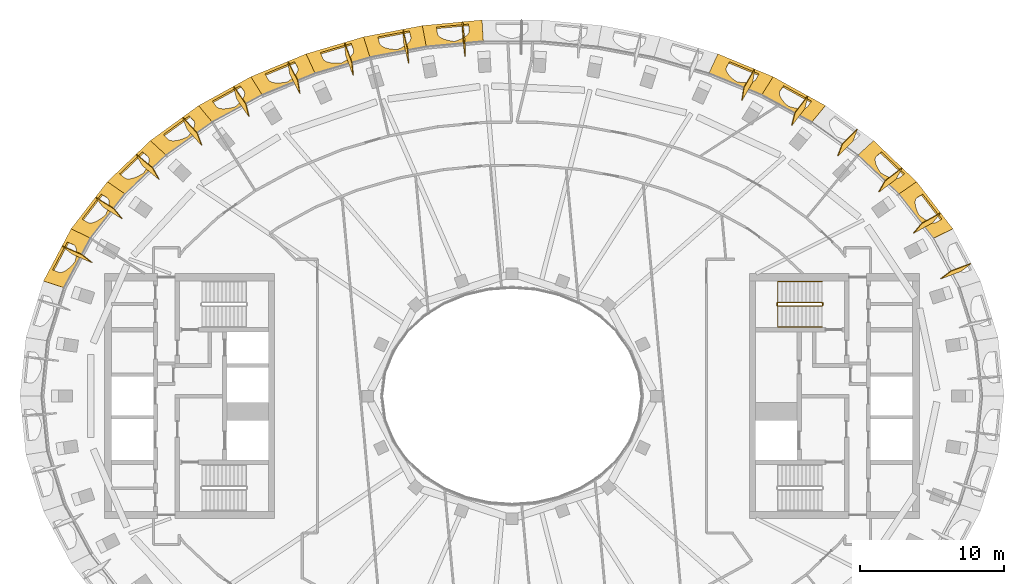
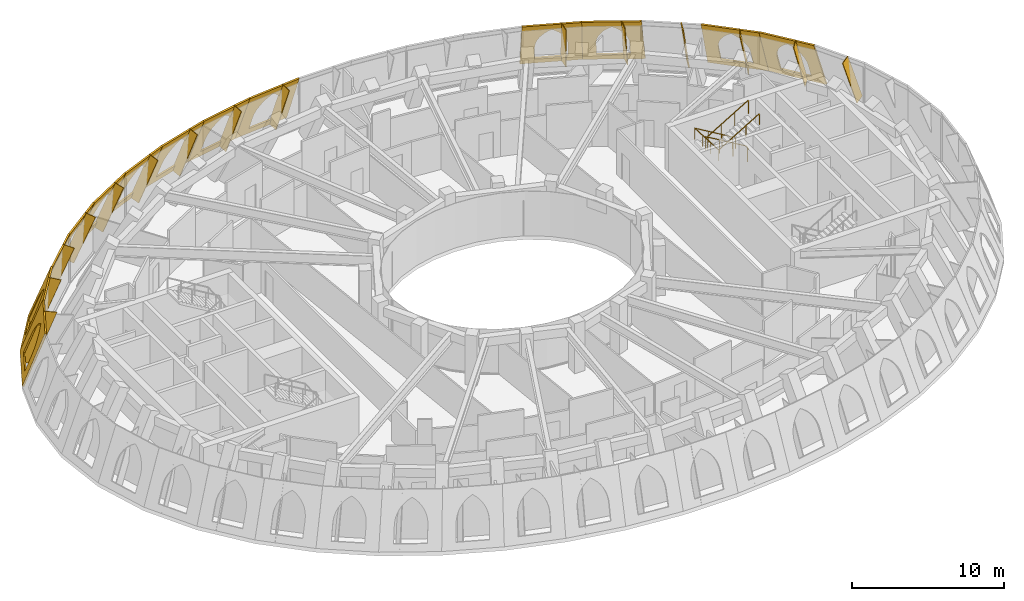
# One storey, part 13 of 14: 28 coverings, 2 railings.
"""IFC4 building model written with IfcOpenShell, lengths in metres."""

from ifc_helpers import new_model, si_unit, direction, frame, origin, origin_2d, place, context, subcontext, project, spatial, polyline, rectangle, outline, extrude, material, layer, layer_set, type_object, element, save


model = new_model("IFC4")

# Units and contexts
model_context = context("Model", 3, precision=1e-05, world=origin(), true_north=direction((0.0, 1.0)))
body_context = subcontext(model_context, "Body", "Model", "MODEL_VIEW")
ifc_project = project(units=[si_unit("LENGTHUNIT", "METRE"), si_unit("AREAUNIT", "SQUARE_METRE"), si_unit("VOLUMEUNIT", "CUBIC_METRE"), si_unit("PLANEANGLEUNIT", "RADIAN"), si_unit("MASSUNIT", "GRAM", prefix="KILO")], contexts=[model_context])

# Site, building, storey
site_placement = place(None, origin())
site = spatial("IfcSite", under=ifc_project, at=site_placement, CompositionType="ELEMENT")
building_placement = place(site_placement, origin())
building = spatial("IfcBuilding", under=site, at=building_placement, Name="Noorbagh Ring Tower", CompositionType="ELEMENT")
storey_placement = place(building_placement, frame((0.0, 0.0, 343.0)))
storey = spatial("IfcBuildingStorey", under=building, at=storey_placement, Name="L75", CompositionType="ELEMENT", Elevation=343.0)

# Railings
ifc_material_1 = material(Name="Stainless steel", Category="steel")
railing_type_1 = type_object("IfcRailingType", Name="CORE-STAIR-GUARD", PredefinedType="GUARDRAIL", material=ifc_material_1)
railing_1_placement = place(storey_placement, frame((21.580078125, 6.449951171875, 0.0)))
element("IfcRailing", 1, at=railing_1_placement, inside=storey, type_object=railing_type_1, Name="L75 ST3 stair guard", PredefinedType="GUARDRAIL", context=body_context, shape_type="SweptSolid", body=[
    extrude(rectangle(XDim=0.048095703125, YDim=0.048095703125, at=origin_2d()), frame((0.0, 0.0, 1.076171875), z_axis=(0.0, -1.0, 0.0), x_axis=(1.0, 0.0, 0.0)), (0.0, 0.0, 1.0), 0.14990234375),
    extrude(rectangle(XDim=0.048095703125, YDim=0.048095703125, at=origin_2d()), frame((0.0, -0.14990234375, 1.076171875), z_axis=(-0.188775798145, 0.754182335027, 0.628945707965), x_axis=(-0.970072785993, -0.242814311512, 0.0)), (0.0, 0.0, 1.0), 0.26513671875),
    extrude(rectangle(XDim=0.048095703125, YDim=0.048095703125, at=origin_2d()), frame((-0.050048828125, 0.050048828125, 1.24267578125), z_axis=(-0.859308565015, 0.0, 0.511457515432), x_axis=(0.0, -1.0, 0.0)), (0.0, 0.0, 1.0), 3.58447265625),
    extrude(rectangle(XDim=0.048095703125, YDim=0.048095703125, at=origin_2d()), frame((-3.130126953125, 0.050048828125, 3.076171875), z_axis=(-0.707106781187, -0.707106781187, 0.0), x_axis=(0.707106781187, -0.707106781187, 0.0)), (0.0, 0.0, 1.0), 0.07080078125),
    extrude(rectangle(XDim=0.048095703125, YDim=0.048095703125, at=origin_2d()), frame((-3.18017578125, 0.0, 3.076171875), z_axis=(0.0, -1.0, 0.0), x_axis=(1.0, 0.0, 0.0)), (0.0, 0.0, 1.0), 0.14990234375),
    extrude(rectangle(XDim=0.048095703125, YDim=0.048095703125, at=origin_2d()), frame((-3.18017578125, -0.14990234375, 3.076171875), z_axis=(0.27628659633, -0.27628659633, 0.920506074601), x_axis=(0.707106781187, 0.707106781187, 0.0)), (0.0, 0.0, 1.0), 0.18115234375),
    extrude(rectangle(XDim=0.048095703125, YDim=0.048095703125, at=origin_2d()), frame((-3.130126953125, -0.199951171875, 3.24267578125), z_axis=(0.859308565015, 0.0, 0.511457515432), x_axis=(0.0, 1.0, 0.0)), (0.0, 0.0, 1.0), 3.58447265625),
    extrude(rectangle(XDim=0.0419921875, YDim=0.0419921875, at=origin_2d()), origin(), (0.0, 0.0, 1.0), 1.052001953125),
    extrude(rectangle(XDim=0.0419921875, YDim=0.0419921875, at=origin_2d()), frame((-1.07666015625, 0.050048828125, 0.77783203125)), (0.0, 0.0, 1.0), 1.052001953125),
    extrude(rectangle(XDim=0.0419921875, YDim=0.0419921875, at=origin_2d()), frame((-2.103515625, 0.050048828125, 1.388916015625)), (0.0, 0.0, 1.0), 1.052001953125),
    extrude(rectangle(XDim=0.0419921875, YDim=0.0419921875, at=origin_2d()), frame((-3.130126953125, 0.050048828125, 2.0)), (0.0, 0.0, 1.0), 1.052001953125),
    extrude(rectangle(XDim=0.0419921875, YDim=0.0419921875, at=origin_2d()), frame((-3.130126953125, -0.199951171875, 2.166748046875)), (0.0, 0.0, 1.0), 1.052001953125),
    extrude(rectangle(XDim=0.0419921875, YDim=0.0419921875, at=origin_2d()), frame((-2.103515625, -0.199951171875, 2.77783203125)), (0.0, 0.0, 1.0), 1.052001953125),
    extrude(rectangle(XDim=0.0419921875, YDim=0.0419921875, at=origin_2d()), frame((-1.07666015625, -0.199951171875, 3.388916015625)), (0.0, 0.0, 1.0), 1.052001953125),
    extrude(rectangle(XDim=0.0419921875, YDim=0.0419921875, at=origin_2d()), frame((-0.050048828125, -0.199951171875, 4.0)), (0.0, 0.0, 1.0), 1.052001953125),
])
ifc_material_2 = material(Name="Stainless steel", Category="steel")
railing_type_2 = type_object("IfcRailingType", Name="CORE-STAIR-HANDRAIL", PredefinedType="HANDRAIL", material=ifc_material_2)
railing_2_placement = place(storey_placement, frame((21.530029296875, 7.949951171875, 0.166748046875)))
element("IfcRailing", 2, at=railing_2_placement, inside=storey, type_object=railing_type_2, Name="L75 ST3 stair handrail", PredefinedType="HANDRAIL", context=body_context, shape_type="SweptSolid", body=[
    extrude(rectangle(XDim=0.048095703125, YDim=0.048095703125, at=origin_2d()), frame((0.0, 0.0, 0.8759765625), z_axis=(-0.859308565015, 0.0, 0.511457515432), x_axis=(0.0, -1.0, 0.0)), (0.0, 0.0, 1.0), 3.58447265625),
    extrude(rectangle(XDim=0.048095703125, YDim=0.048095703125, at=origin_2d()), frame((-3.080078125, 0.0, 2.708984375), z_axis=(0.0, -0.998601747152, 0.052863509014), x_axis=(1.0, 0.0, 0.0)), (0.0, 0.0, 1.0), 3.154296875),
    extrude(rectangle(XDim=0.048095703125, YDim=0.048095703125, at=origin_2d()), frame((-3.080078125, -3.14990234375, 2.8759765625), z_axis=(0.859308565015, 0.0, 0.511457515432), x_axis=(0.0, 1.0, 0.0)), (0.0, 0.0, 1.0), 3.58447265625),
    extrude(rectangle(XDim=0.0419921875, YDim=0.0419921875, at=origin_2d()), origin(), (0.0, 0.0, 1.0), 0.851806640625),
    extrude(rectangle(XDim=0.0419921875, YDim=0.0419921875, at=origin_2d()), frame((-1.026611328125, 0.0, 0.611083984375)), (0.0, 0.0, 1.0), 0.851806640625),
    extrude(rectangle(XDim=0.0419921875, YDim=0.0419921875, at=origin_2d()), frame((-2.053466796875, 0.0, 1.22216796875)), (0.0, 0.0, 1.0), 0.851806640625),
    extrude(rectangle(XDim=0.0419921875, YDim=0.0419921875, at=origin_2d()), frame((-3.080078125, 0.0, 1.833251953125)), (0.0, 0.0, 1.0), 0.851806640625),
    extrude(rectangle(XDim=0.0419921875, YDim=0.0419921875, at=origin_2d()), frame((-3.080078125, -1.050048828125, 1.888916015625)), (0.0, 0.0, 1.0), 0.851806640625),
    extrude(rectangle(XDim=0.0419921875, YDim=0.0419921875, at=origin_2d()), frame((-3.080078125, -2.099853515625, 1.9443359375)), (0.0, 0.0, 1.0), 0.851806640625),
    extrude(rectangle(XDim=0.0419921875, YDim=0.0419921875, at=origin_2d()), frame((-3.080078125, -3.14990234375, 2.0)), (0.0, 0.0, 1.0), 0.851806640625),
    extrude(rectangle(XDim=0.0419921875, YDim=0.0419921875, at=origin_2d()), frame((-2.053466796875, -3.14990234375, 2.611083984375)), (0.0, 0.0, 1.0), 0.851806640625),
    extrude(rectangle(XDim=0.0419921875, YDim=0.0419921875, at=origin_2d()), frame((-1.026611328125, -3.14990234375, 3.22216796875)), (0.0, 0.0, 1.0), 0.851806640625),
    extrude(rectangle(XDim=0.0419921875, YDim=0.0419921875, at=origin_2d()), frame((0.0, -3.14990234375, 3.833251953125)), (0.0, 0.0, 1.0), 0.851806640625),
])

# Coverings
ifc_material_3 = material(Name="Aluminium 6063-T6 black anodised", Category="aluminium")
ifc_layer_1 = layer(ifc_material_3, 0.050048828125)
ifc_layer_set_1 = layer_set([ifc_layer_1], Name="Aluminium 6063-T6 black anodised")
covering_type_1 = type_object("IfcCoveringType", Name="STYLE-HEAD-FIN", PredefinedType="CLADDING", material=ifc_layer_set_1)
covering_1_placement = place(storey_placement, frame((31.885986328125, 9.1962890625, 0.0), z_axis=(0.600715561731, -0.792502164511, 0.105266961286), x_axis=(-0.325929504833, -0.122538057694, 0.937419000392)))
element("IfcCovering", 3, at=covering_1_placement, inside=storey, type_object=covering_type_1, Name="Fin rib F03 L75", ObjectType="FIN", PredefinedType="CLADDING", context=body_context, shape_type="SweptSolid", body=[
    extrude(outline(polyline([(0.0, 0.0), (4.269639728421008, -2.220446049250313e-16), (4.570048209789366, 0.8484478204325778), (0.30040848136835774, 0.848447820432578), (0.0, 0.0)])), origin(), (0.0, 0.0, -1.0), 0.050048828125),
])
covering_2_placement = place(storey_placement, frame((29.76708984375, 12.704345703125, 0.0), z_axis=(0.757617294657, -0.639550559707, 0.130349976663), x_axis=(-0.304079541005, -0.16913638253, 0.937511875577)))
element("IfcCovering", 4, at=covering_2_placement, inside=storey, type_object=covering_type_1, Name="Fin rib F04 L75", ObjectType="FIN", PredefinedType="CLADDING", context=body_context, shape_type="SweptSolid", body=[
    extrude(outline(polyline([(0.0, 0.0), (4.269737580698154, 0.0), (4.562598503084755, 0.8510474928985627), (0.2928609223866008, 0.8510474928985627), (0.0, 0.0)])), origin(), (0.0, 0.0, -1.0), 0.050048828125),
])
covering_3_placement = place(storey_placement, frame((27.097900390625, 15.831298828125, 0.0), z_axis=(0.861649934003, -0.486313558765, 0.145115518789), x_axis=(-0.276849908007, -0.21076944612, 0.937512863388)))
element("IfcCovering", 5, at=covering_3_placement, inside=storey, type_object=covering_type_1, Name="Fin rib F05 L75", ObjectType="FIN", PredefinedType="CLADDING", context=body_context, shape_type="SweptSolid", body=[
    extrude(outline(polyline([(0.0, 0.0), (4.269742270772707, 0.0), (4.5574455727258725, 0.8529269024780048), (0.28765184456885823, 0.8527198753503453), (0.0, 0.0)])), origin(), (0.0, 0.0, -1.0), 0.050048828125),
])
covering_4_placement = place(storey_placement, frame((23.9921875, 18.5439453125, 0.0), z_axis=(0.925064574408, -0.348944334968, 0.149977945939), x_axis=(-0.245187139692, -0.247074074302, 0.9374634224)))
element("IfcCovering", 6, at=covering_4_placement, inside=storey, type_object=covering_type_1, Name="Fin rib F06 L75", ObjectType="FIN", PredefinedType="CLADDING", context=body_context, shape_type="SweptSolid", body=[
    extrude(outline(polyline([(0.0, 0.0), (4.269697836987856, 0.0), (4.555622385573899, 0.8533270802348418), (0.28592454858604305, 0.8533270802348417), (0.0, 0.0)])), origin(), (0.0, 0.0, -1.0), 0.050048828125),
])
covering_5_placement = place(storey_placement, frame((20.54931640625, 20.83203125, 0.0), z_axis=(0.96089591532, -0.235526861926, 0.145623271603), x_axis=(-0.210153800988, -0.27781912387, 0.937364344501)))
element("IfcCovering", 7, at=covering_5_placement, inside=storey, type_object=covering_type_1, Name="Fin rib F07 L75", ObjectType="FIN", PredefinedType="CLADDING", context=body_context, shape_type="SweptSolid", body=[
    extrude(outline(polyline([(0.0, 0.0), (4.269870460270991, -2.220446049250313e-16), (4.557738502439847, 0.8526413154554877), (0.28781673508853595, 0.8525972926154464), (0.0, 0.0)])), origin(), (0.0, 0.0, -1.0), 0.050048828125),
])
covering_6_placement = place(storey_placement, frame((16.8515625, 22.697998046875, 0.0), z_axis=(0.98008542161, -0.147886689132, 0.132522049201), x_axis=(-0.172442689112, -0.302918225105, 0.937285478321)))
element("IfcCovering", 8, at=covering_6_placement, inside=storey, type_object=covering_type_1, Name="Fin rib F08 L75", ObjectType="FIN", PredefinedType="CLADDING", context=body_context, shape_type="SweptSolid", body=[
    extrude(outline(polyline([(0.0, 0.0), (4.269987488545173, -2.220446049250313e-16), (4.56270731508786, 0.8510313206899811), (0.29271982654268763, 0.8510313206899813), (0.0, 0.0)])), origin(), (0.0, 0.0, -1.0), 0.050048828125),
])
covering_7_placement = place(storey_placement, frame((-3.4619140625, 25.979248046875, 0.0), z_axis=(-0.999117759308, -0.033349113811, 0.0255252746), x_axis=(0.035562137106, -0.348531813176, 0.936622074056)))
element("IfcCovering", 9, at=covering_7_placement, inside=storey, type_object=covering_type_1, Name="Fin rib F13 L75", ObjectType="FIN", PredefinedType="CLADDING", context=body_context, shape_type="SweptSolid", body=[
    extrude(outline(polyline([(0.0, 0.0), (4.270144628804676, 2.220446049250313e-16), (4.584772039550924, -0.843383799659456), (0.31462741074624834, -0.8433837996594563), (0.0, 0.0)])), origin(), (0.0, 0.0, -1.0), 0.050048828125),
])
covering_8_placement = place(storey_placement, frame((-7.585693359375, 25.458984375, 0.0), z_axis=(-0.99630362331, -0.060661052357, 0.060822092258), x_axis=(0.077988385473, -0.341913889389, 0.936489564264)))
element("IfcCovering", 10, at=covering_8_placement, inside=storey, type_object=covering_type_1, Name="Fin rib F14 L75", ObjectType="FIN", PredefinedType="CLADDING", context=body_context, shape_type="SweptSolid", body=[
    extrude(outline(polyline([(0.0, 0.0), (4.2699667454592705, -2.220446049250313e-16), (4.581336520216729, -0.8442694456446282), (0.311369774757459, -0.8442694456446279), (0.0, 0.0)])), origin(), (0.0, 0.0, -1.0), 0.050048828125),
])
covering_9_placement = place(storey_placement, frame((-11.6376953125, 24.544189453125, 0.0), z_axis=(-0.990730815082, -0.100626374538, 0.091251218045), x_axis=(0.119757621649, -0.329962810147, 0.936366731562)))
element("IfcCovering", 11, at=covering_9_placement, inside=storey, type_object=covering_type_1, Name="Fin rib F15 L75", ObjectType="FIN", PredefinedType="CLADDING", context=body_context, shape_type="SweptSolid", body=[
    extrude(outline(polyline([(0.0, 0.0), (4.270016005251605, -2.220446049250313e-16), (4.5762961468687084, -0.8461310976360186), (0.3063899366443968, -0.8463759045415654), (0.0, 0.0)])), origin(), (0.0, 0.0, -1.0), 0.050048828125),
])
covering_10_placement = place(storey_placement, frame((-15.572998046875, 23.2275390625, 0.0), z_axis=(-0.980559835014, -0.159115301615, 0.11482478282), x_axis=(0.160353618006, -0.312533203328, 0.936274379661)))
element("IfcCovering", 12, at=covering_10_placement, inside=storey, type_object=covering_type_1, Name="Fin rib F16 L75", ObjectType="FIN", PredefinedType="CLADDING", context=body_context, shape_type="SweptSolid", body=[
    extrude(outline(polyline([(0.0, 0.0), (4.269919764367549, 0.0), (4.570680741305075, -0.8482894768162359), (0.30080012577004817, -0.8483170864410203), (0.0, 0.0)])), origin(), (0.0, 0.0, -1.0), 0.050048828125),
])
covering_11_placement = place(storey_placement, frame((-19.33984375, 21.50048828125, 0.0), z_axis=(-0.961819662831, -0.240690227382, 0.130273368863), x_axis=(0.199271648924, -0.289604478598, 0.936173090786)))
element("IfcCovering", 13, at=covering_11_placement, inside=storey, type_object=covering_type_1, Name="Fin rib F17 L75", ObjectType="FIN", PredefinedType="CLADDING", context=body_context, shape_type="SweptSolid", body=[
    extrude(outline(polyline([(0.0, 0.0), (4.269841405281221, 2.220446049250313e-16), (4.5662217132046905, -0.84977312780554), (0.2964510121418775, -0.8499992971110958), (0.0, 0.0)])), origin(), (0.0, 0.0, -1.0), 0.050048828125),
])
covering_12_placement = place(storey_placement, frame((-22.87548828125, 19.353759765625, 0.0), z_axis=(-0.927477884472, -0.347988949845, 0.136705759209), x_axis=(0.235851490487, -0.260851121234, 0.936125401314)))
element("IfcCovering", 14, at=covering_12_placement, inside=storey, type_object=covering_type_1, Name="Fin rib F18 L75", ObjectType="FIN", PredefinedType="CLADDING", context=body_context, shape_type="SweptSolid", body=[
    extrude(outline(polyline([(0.0, 0.0), (4.269808418859267, 0.0), (4.564214119708998, -0.8506179094415538), (0.29434201649396036, -0.8503980662130676), (0.0, 0.0)])), origin(), (0.0, 0.0, -1.0), 0.050048828125),
])
covering_13_placement = place(storey_placement, frame((-26.103271484375, 16.78271484375, 0.0), z_axis=(-0.866944784735, -0.48026159601, 0.133249914141), x_axis=(0.269247166368, -0.226307131978, 0.93610418513)))
element("IfcCovering", 15, at=covering_13_placement, inside=storey, type_object=covering_type_1, Name="Fin rib F19 L75", ObjectType="FIN", PredefinedType="CLADDING", context=body_context, shape_type="SweptSolid", body=[
    extrude(outline(polyline([(0.0, 0.0), (4.26989898773221, 2.220446049250313e-16), (4.565428683198752, -0.8499000087047333), (0.29552969546654173, -0.8499000087047333), (0.0, 0.0)])), origin(), (0.0, 0.0, -1.0), 0.050048828125),
])
covering_14_placement = place(storey_placement, frame((-28.9296875, 13.792236328125, 0.0), z_axis=(-0.767424504897, -0.629913023763, 0.119453806041), x_axis=(0.298400659653, -0.186017292093, 0.93613813797)))
element("IfcCovering", 16, at=covering_14_placement, inside=storey, type_object=covering_type_1, Name="Fin rib F20 L75", ObjectType="FIN", PredefinedType="CLADDING", context=body_context, shape_type="SweptSolid", body=[
    extrude(outline(polyline([(0.0, 0.0), (4.269756076353646, 0.0), (4.5694689687949595, -0.8484012880245477), (0.29978574416486214, -0.8485398293164468), (0.0, 0.0)])), origin(), (0.0, 0.0, -1.0), 0.050048828125),
])
covering_15_placement = place(storey_placement, frame((-31.2451171875, 10.406494140625, 0.0), z_axis=(-0.615969181044, -0.782045922098, 0.09479527274), x_axis=(0.322095673931, -0.140205679474, 0.93626745339)))
element("IfcCovering", 17, at=covering_15_placement, inside=storey, type_object=covering_type_1, Name="Fin rib F21 L75", ObjectType="FIN", PredefinedType="CLADDING", context=body_context, shape_type="SweptSolid", body=[
    extrude(outline(polyline([(0.0, 0.0), (4.2696759128755355, -2.220446049250313e-16), (4.575486026787998, -0.8464596888751525), (0.305810113912463, -0.8464596888751525), (0.0, 0.0)])), origin(), (0.0, 0.0, -1.0), 0.050048828125),
])
ifc_material_4 = material(Name="Red sandstone jali", Category="masonry")
ifc_layer_2 = layer(ifc_material_4, 0.1201171875)
ifc_layer_set_2 = layer_set([ifc_layer_2], Name="Red sandstone jali")
covering_type_2 = type_object("IfcCoveringType", Name="STYLE-HEAD-SKIN", PredefinedType="CLADDING", material=ifc_layer_set_2)
covering_16_placement = place(storey_placement, frame((30.6044921875, 11.616455078125, 0.0), z_axis=(0.74388041907, 0.572609080552, 0.344616835041), x_axis=(-0.609973346137, 0.792421931169, -2.220059e-06)))
element("IfcCovering", 18, at=covering_16_placement, inside=storey, type_object=covering_type_2, Name="Head skin panel", ObjectType="HEAD SKIN", PredefinedType="CLADDING", context=body_context, shape_type="SweptSolid", body=[
    extrude(outline(polyline([(0.0, 0.0), (4.11865234375, 0.0), (4.19482421875, 4.260986328125), (0.291259765625, 4.260986328125), (0.0, 0.0)]), holes=[polyline([(0.989990234375, 0.550048828125), (1.044677734375, 1.818115234375), (1.07568359375, 2.103271484375), (1.1435546875, 2.3837890625), (1.247314453125, 2.654541015625), (1.384765625, 2.910888671875), (1.5537109375, 3.148681640625), (1.751708984375, 3.36376953125), (1.974609375, 3.55224609375), (2.21923828125, 3.7109375), (2.4501953125, 3.55224609375), (2.656982421875, 3.36376953125), (2.836181640625, 3.148681640625), (2.98486328125, 2.910888671875), (3.100341796875, 2.654541015625), (3.180419921875, 2.3837890625), (3.22412109375, 2.103271484375), (3.230712890625, 1.818115234375), (3.17578125, 0.550048828125), (0.989990234375, 0.550048828125)])]), origin(), (0.0, 0.0, -1.0), 0.1201171875),
])
covering_17_placement = place(storey_placement, frame((28.09228515625, 14.880126953125, 0.0), z_axis=(0.649002140835, 0.678472470136, 0.344196642139), x_axis=(-0.722627286113, 0.691237878997, 2.279216e-06)))
element("IfcCovering", 19, at=covering_17_placement, inside=storey, type_object=covering_type_2, Name="Head skin panel", ObjectType="HEAD SKIN", PredefinedType="CLADDING", context=body_context, shape_type="SweptSolid", body=[
    extrude(outline(polyline([(0.0, 0.0), (4.12890625, 0.0), (4.22265625, 4.26025390625), (0.301025390625, 4.26025390625), (0.0, 0.0)]), holes=[polyline([(0.991943359375, 0.550048828125), (1.05029296875, 1.80859375), (1.082275390625, 2.09521484375), (1.1513671875, 2.376953125), (1.25634765625, 2.64892578125), (1.395263671875, 2.906494140625), (1.56591796875, 3.1455078125), (1.765380859375, 3.361328125), (1.989990234375, 3.55078125), (2.236328125, 3.71044921875), (2.4677734375, 3.55078125), (2.675048828125, 3.361328125), (2.8544921875, 3.1455078125), (3.0029296875, 2.906494140625), (3.117919921875, 2.64892578125), (3.19775390625, 2.376953125), (3.24072265625, 2.09521484375), (3.24609375, 1.80859375), (3.18798828125, 0.550048828125), (0.991943359375, 0.550048828125)])]), origin(), (0.0, 0.0, -1.0), 0.1201171875),
])
covering_18_placement = place(storey_placement, frame((21.7587890625, 20.16357421875, 0.0), z_axis=(0.453918687936, 0.821468308815, 0.34517769678), x_axis=(-0.875262280598, 0.483648570787, -1.1783775e-05)))
element("IfcCovering", 20, at=covering_18_placement, inside=storey, type_object=covering_type_2, Name="Head skin panel", ObjectType="HEAD SKIN", PredefinedType="CLADDING", context=body_context, shape_type="SweptSolid", body=[
    extrude(outline(polyline([(0.0, 0.0), (4.1455078125, 0.0), (4.2275390625, 4.261962890625), (0.2763671875, 4.261962890625), (0.0, 0.0)]), holes=[polyline([(0.98974609375, 0.550048828125), (1.0419921875, 1.7958984375), (1.072998046875, 2.084716796875), (1.1416015625, 2.368408203125), (1.24609375, 2.642578125), (1.385009765625, 2.902099609375), (1.555908203125, 3.142822265625), (1.755859375, 3.3603515625), (1.981689453125, 3.55126953125), (2.22900390625, 3.7119140625), (2.462890625, 3.55126953125), (2.67236328125, 3.3603515625), (2.85400390625, 3.142822265625), (3.0048828125, 2.902099609375), (3.121826171875, 2.642578125), (3.203369140625, 2.368408203125), (3.247802734375, 2.084716796875), (3.254638671875, 1.7958984375), (3.202392578125, 0.550048828125), (0.98974609375, 0.550048828125)])]), origin(), (0.0, 0.0, -1.0), 0.1201171875),
])
covering_19_placement = place(storey_placement, frame((18.13037109375, 22.168701171875, 0.0), z_axis=(0.358896062672, 0.866781697373, 0.346241397436), x_axis=(-0.923931180709, 0.382558718776, 1.060909e-06)))
element("IfcCovering", 21, at=covering_19_placement, inside=storey, type_object=covering_type_2, Name="Head skin panel", ObjectType="HEAD SKIN", PredefinedType="CLADDING", context=body_context, shape_type="SweptSolid", body=[
    extrude(outline(polyline([(0.0, 0.0), (4.152099609375, 0.0), (4.210693359375, 4.263671875), (0.248779296875, 4.263671875), (0.0, 0.0)]), holes=[polyline([(0.986328125, 0.550048828125), (1.03125, 1.79248046875), (1.060791015625, 2.08203125), (1.127685546875, 2.36669921875), (1.230712890625, 2.641357421875), (1.368408203125, 2.901611328125), (1.538330078125, 3.14306640625), (1.737548828125, 3.361083984375), (1.962646484375, 3.552490234375), (2.209716796875, 3.713623046875), (2.4453125, 3.552490234375), (2.656494140625, 3.361083984375), (2.840087890625, 3.14306640625), (2.99267578125, 2.901611328125), (3.111572265625, 2.641357421875), (3.19482421875, 2.36669921875), (3.2412109375, 2.08203125), (3.249755859375, 1.79248046875), (3.205078125, 0.550048828125), (0.986328125, 0.550048828125)])]), origin(), (0.0, 0.0, -1.0), 0.1201171875),
])
covering_20_placement = place(storey_placement, frame((-2.080810546875, 26.10888671875, 0.0), z_axis=(-0.087591626762, 0.932522145726, 0.350328638069), x_axis=(-0.995617628772, -0.093517577368, -1.586588e-06)))
element("IfcCovering", 22, at=covering_20_placement, inside=storey, type_object=covering_type_2, Name="Head skin panel", ObjectType="HEAD SKIN", PredefinedType="CLADDING", context=body_context, shape_type="SweptSolid", body=[
    extrude(outline(polyline([(0.0, 0.0), (4.16162109375, 0.0), (4.02734375, 4.270751953125), (0.049072265625, 4.270751953125), (0.0, 0.0)]), holes=[polyline([(0.961181640625, 0.550048828125), (0.948974609375, 1.791259765625), (0.965087890625, 2.08203125), (1.01904296875, 2.367919921875), (1.110107421875, 2.643798828125), (1.236328125, 2.9052734375), (1.395751953125, 3.147705078125), (1.585693359375, 3.36669921875), (1.802978515625, 3.558837890625), (2.043701171875, 3.720703125), (2.28759765625, 3.558837890625), (2.508544921875, 3.36669921875), (2.702880859375, 3.147705078125), (2.8671875, 2.9052734375), (2.998779296875, 2.643798828125), (3.09521484375, 2.367919921875), (3.15478515625, 2.08203125), (3.1767578125, 1.791259765625), (3.189208984375, 0.550048828125), (0.961181640625, 0.550048828125)])]), origin(), (0.0, 0.0, -1.0), 0.1201171875),
])
covering_21_placement = place(storey_placement, frame((-6.22412109375, 25.7197265625, 0.0), z_axis=(-0.176079356479, 0.919862845053, 0.350497370194), x_axis=(-0.982167696153, -0.188006958976, 3.310382e-06)))
element("IfcCovering", 23, at=covering_21_placement, inside=storey, type_object=covering_type_2, Name="Head skin panel", ObjectType="HEAD SKIN", PredefinedType="CLADDING", context=body_context, shape_type="SweptSolid", body=[
    extrude(outline(polyline([(0.0, 0.0), (4.1591796875, 0.0), (3.98388671875, 4.27099609375), (0.008544921875, 4.27099609375), (0.0, 0.0)]), holes=[polyline([(0.955810546875, 0.550048828125), (0.931640625, 1.793212890625), (0.945068359375, 2.083740234375), (0.996337890625, 2.369384765625), (1.08447265625, 2.64501953125), (1.208251953125, 2.90625), (1.365234375, 3.148193359375), (1.552978515625, 3.3671875), (1.768310546875, 3.55908203125), (2.007080078125, 3.720947265625), (2.25244140625, 3.55908203125), (2.47509765625, 3.3671875), (2.67138671875, 3.148193359375), (2.837890625, 2.90625), (2.9716796875, 2.64501953125), (3.07080078125, 2.369384765625), (3.133056640625, 2.083740234375), (3.15771484375, 1.793212890625), (3.181884765625, 0.550048828125), (0.955810546875, 0.550048828125)])]), origin(), (0.0, 0.0, -1.0), 0.1201171875),
])
covering_22_placement = place(storey_placement, frame((-10.30908203125, 24.937744140625, 0.0), z_axis=(-0.26605252642, 0.897994106361, 0.350460608524), x_axis=(-0.958804037381, -0.28406833315, -1.562271e-06)))
element("IfcCovering", 24, at=covering_22_placement, inside=storey, type_object=covering_type_2, Name="Head skin panel", ObjectType="HEAD SKIN", PredefinedType="CLADDING", context=body_context, shape_type="SweptSolid", body=[
    extrude(outline(polyline([(0.0, 0.0), (4.15625, 0.0), (3.942138671875, 4.27099609375), (-0.027587890625, 4.270751953125), (0.0, 0.0)]), holes=[polyline([(0.951171875, 0.550048828125), (0.915771484375, 1.795654296875), (0.926513671875, 2.0859375), (0.97509765625, 2.37109375), (1.060791015625, 2.646484375), (1.18212890625, 2.9072265625), (1.3369140625, 3.14892578125), (1.522216796875, 3.36767578125), (1.735595703125, 3.559326171875), (1.97265625, 3.720947265625), (2.218994140625, 3.559326171875), (2.443115234375, 3.36767578125), (2.64111328125, 3.14892578125), (2.809326171875, 2.9072265625), (2.9453125, 2.646484375), (3.046630859375, 2.37109375), (3.111572265625, 2.0859375), (3.138916015625, 1.795654296875), (3.174072265625, 0.550048828125), (0.951171875, 0.550048828125)])]), origin(), (0.0, 0.0, -1.0), 0.1201171875),
])
covering_23_placement = place(storey_placement, frame((-14.294189453125, 23.757080078125, 0.0), z_axis=(-0.358322783681, 0.865397152408, 0.350274965277), x_axis=(-0.92393118422, -0.382558710298, -1.071554e-06)))
element("IfcCovering", 25, at=covering_23_placement, inside=storey, type_object=covering_type_2, Name="Head skin panel", ObjectType="HEAD SKIN", PredefinedType="CLADDING", context=body_context, shape_type="SweptSolid", body=[
    extrude(outline(polyline([(0.0, 0.0), (4.152099609375, 0.0), (3.903076171875, 4.2705078125), (-0.05859375, 4.2705078125), (0.0, 0.0)]), holes=[polyline([(0.94677734375, 0.550048828125), (0.90185546875, 1.79931640625), (0.910400390625, 2.0888671875), (0.956787109375, 2.37353515625), (1.040283203125, 2.648193359375), (1.1591796875, 2.908447265625), (1.311767578125, 3.14990234375), (1.4951171875, 3.367919921875), (1.70654296875, 3.559326171875), (1.94189453125, 3.720703125), (2.189208984375, 3.559326171875), (2.4140625, 3.367919921875), (2.61328125, 3.14990234375), (2.783203125, 2.908447265625), (2.9208984375, 2.648193359375), (3.024169921875, 2.37353515625), (3.091064453125, 2.0888671875), (3.120361328125, 1.79931640625), (3.165283203125, 0.550048828125), (0.94677734375, 0.550048828125)])]), origin(), (0.0, 0.0, -1.0), 0.1201171875),
])
covering_24_placement = place(storey_placement, frame((-18.13037109375, 22.168701171875, 0.0), z_axis=(-0.453056491312, 0.819879724023, 0.35005293002), x_axis=(-0.87525603196, -0.483659878909, 7.145209e-06)))
element("IfcCovering", 26, at=covering_24_placement, inside=storey, type_object=covering_type_2, Name="Head skin panel", ObjectType="HEAD SKIN", PredefinedType="CLADDING", context=body_context, shape_type="SweptSolid", body=[
    extrude(outline(polyline([(0.0, 0.0), (4.1455078125, 0.0), (3.869140625, 4.270263671875), (-0.081787109375, 4.270263671875), (0.0, 0.0)]), holes=[polyline([(0.943603515625, 0.550048828125), (0.890869140625, 1.803955078125), (0.897705078125, 2.0927734375), (0.942138671875, 2.376708984375), (1.023681640625, 2.650634765625), (1.140869140625, 2.910400390625), (1.29150390625, 3.15087890625), (1.473388671875, 3.36865234375), (1.682861328125, 3.559326171875), (1.916748046875, 3.72021484375), (2.164306640625, 3.559326171875), (2.389892578125, 3.36865234375), (2.58984375, 3.15087890625), (2.7607421875, 2.910400390625), (2.899658203125, 2.650634765625), (3.004150390625, 2.376708984375), (3.072509765625, 2.0927734375), (3.103515625, 1.803955078125), (3.156005859375, 0.550048828125), (0.943603515625, 0.550048828125)])]), origin(), (0.0, 0.0, -1.0), 0.1201171875),
])
covering_25_placement = place(storey_placement, frame((-21.7587890625, 20.16357421875, 0.0), z_axis=(-0.549999533176, 0.758359294534, 0.349845242787), x_axis=(-0.80951503471, -0.587099147141, -2.275698e-06)))
element("IfcCovering", 27, at=covering_25_placement, inside=storey, type_object=covering_type_2, Name="Head skin panel", ObjectType="HEAD SKIN", PredefinedType="CLADDING", context=body_context, shape_type="SweptSolid", body=[
    extrude(outline(polyline([(0.0, 0.0), (4.13818359375, 0.0), (3.84326171875, 4.269775390625), (-0.094482421875, 4.269775390625), (0.0, 0.0)]), holes=[polyline([(0.94140625, 0.550048828125), (0.884033203125, 1.810302734375), (0.8896484375, 2.09814453125), (0.93310546875, 2.381103515625), (1.01318359375, 2.654052734375), (1.129150390625, 2.912841796875), (1.2783203125, 3.152587890625), (1.458740234375, 3.369384765625), (1.6669921875, 3.559814453125), (1.8994140625, 3.719970703125), (2.146484375, 3.559814453125), (2.3720703125, 3.369384765625), (2.572265625, 3.152587890625), (2.743408203125, 2.912841796875), (2.8828125, 2.654052734375), (2.98779296875, 2.381103515625), (3.05712890625, 2.09814453125), (3.089111328125, 1.810302734375), (3.146484375, 0.550048828125), (0.94140625, 0.550048828125)])]), origin(), (0.0, 0.0, -1.0), 0.1201171875),
])
covering_26_placement = place(storey_placement, frame((-25.108642578125, 17.734130859375, 0.0), z_axis=(-0.647554602531, 0.676929502023, 0.349913540796), x_axis=(-0.722614011899, -0.69125175567, -9.49526e-06)))
element("IfcCovering", 28, at=covering_26_placement, inside=storey, type_object=covering_type_2, Name="Head skin panel", ObjectType="HEAD SKIN", PredefinedType="CLADDING", context=body_context, shape_type="SweptSolid", body=[
    extrude(outline(polyline([(0.0, 0.0), (4.12890625, 0.0), (3.828125, 4.27001953125), (-0.093505859375, 4.269775390625), (0.0, 0.0)]), holes=[polyline([(0.94091796875, 0.550048828125), (0.88232421875, 1.818115234375), (0.887939453125, 2.104736328125), (0.930908203125, 2.386474609375), (1.0107421875, 2.658447265625), (1.1259765625, 2.916015625), (1.2744140625, 3.155029296875), (1.453857421875, 3.37109375), (1.6611328125, 3.560302734375), (1.892578125, 3.719970703125), (2.138916015625, 3.560302734375), (2.363525390625, 3.37109375), (2.56298828125, 3.155029296875), (2.7333984375, 2.916015625), (2.87255859375, 2.658447265625), (2.977294921875, 2.386474609375), (3.04638671875, 2.104736328125), (3.07861328125, 1.818115234375), (3.13720703125, 0.550048828125), (0.94091796875, 0.550048828125)])]), origin(), (0.0, 0.0, -1.0), 0.1201171875),
])
covering_27_placement = place(storey_placement, frame((-28.09228515625, 14.880126953125, 0.0), z_axis=(-0.742269904086, 0.571369371211, 0.350103457751), x_axis=(-0.609973325409, -0.792421947124, 2.250522e-06)))
element("IfcCovering", 29, at=covering_27_placement, inside=storey, type_object=covering_type_2, Name="Head skin panel", ObjectType="HEAD SKIN", PredefinedType="CLADDING", context=body_context, shape_type="SweptSolid", body=[
    extrude(outline(polyline([(0.0, 0.0), (4.11865234375, 0.0), (3.827392578125, 4.270263671875), (-0.076171875, 4.270263671875), (0.0, 0.0)]), holes=[polyline([(0.942626953125, 0.550048828125), (0.8876953125, 1.827392578125), (0.89404296875, 2.112548828125), (0.937744140625, 2.39306640625), (1.01806640625, 2.663818359375), (1.133544921875, 2.920166015625), (1.281982421875, 3.157958984375), (1.46142578125, 3.372802734375), (1.668212890625, 3.5615234375), (1.899169921875, 3.72021484375), (2.143798828125, 3.5615234375), (2.36669921875, 3.372802734375), (2.564697265625, 3.157958984375), (2.733642578125, 2.920166015625), (2.87109375, 2.663818359375), (2.974609375, 2.39306640625), (3.04248046875, 2.112548828125), (3.073486328125, 1.827392578125), (3.12841796875, 0.550048828125), (0.942626953125, 0.550048828125)])]), origin(), (0.0, 0.0, -1.0), 0.1201171875),
])
covering_28_placement = place(storey_placement, frame((-30.6044921875, 11.616455078125, 0.0), z_axis=(-0.827727352883, 0.438282649021, 0.350393705504), x_axis=(-0.467948597494, -0.883755684619, 2.650312e-06)))
element("IfcCovering", 30, at=covering_28_placement, inside=storey, type_object=covering_type_2, Name="Head skin panel", ObjectType="HEAD SKIN", PredefinedType="CLADDING", context=body_context, shape_type="SweptSolid", body=[
    extrude(outline(polyline([(0.0, 0.0), (4.107666015625, 0.0), (3.844482421875, 4.270751953125), (-0.0400390625, 4.270751953125), (0.0, 0.0)]), holes=[polyline([(0.946533203125, 0.550048828125), (0.90087890625, 1.8369140625), (0.909423828125, 2.12060546875), (0.955078125, 2.39990234375), (1.037109375, 2.669189453125), (1.15380859375, 2.924560546875), (1.303466796875, 3.1611328125), (1.4833984375, 3.375), (1.69091796875, 3.562744140625), (1.921875, 3.720703125), (2.1640625, 3.562744140625), (2.384521484375, 3.375), (2.579833984375, 3.1611328125), (2.746337890625, 2.924560546875), (2.88134765625, 2.669189453125), (2.982421875, 2.39990234375), (3.047607421875, 2.12060546875), (3.076416015625, 1.8369140625), (3.1220703125, 0.550048828125), (0.946533203125, 0.550048828125)])]), origin(), (0.0, 0.0, -1.0), 0.1201171875),
])

save(model, "model.ifc")
